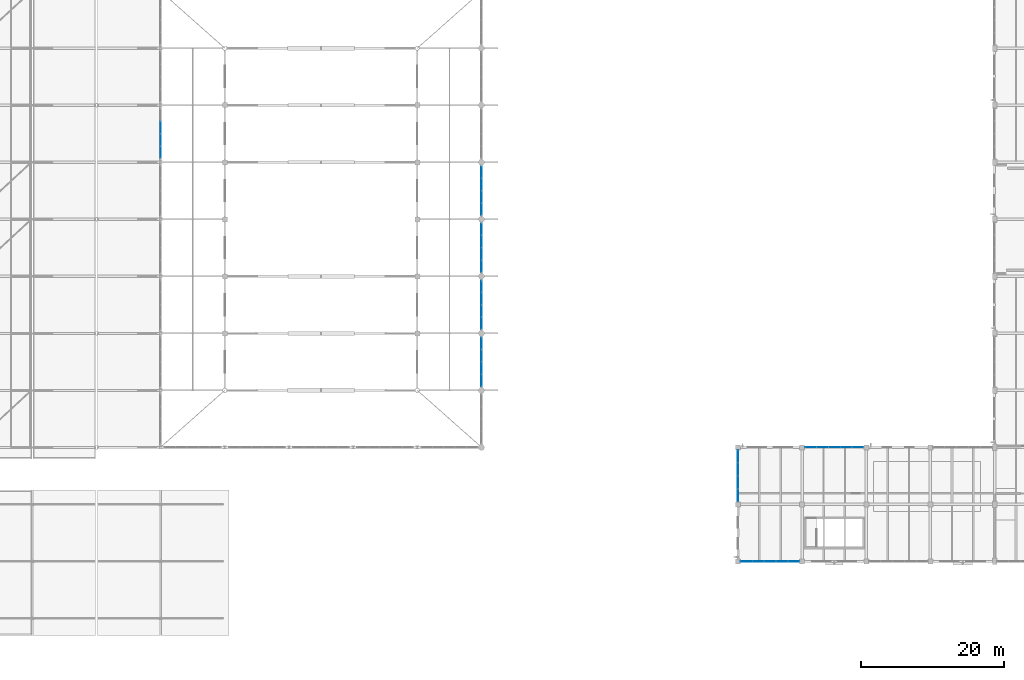
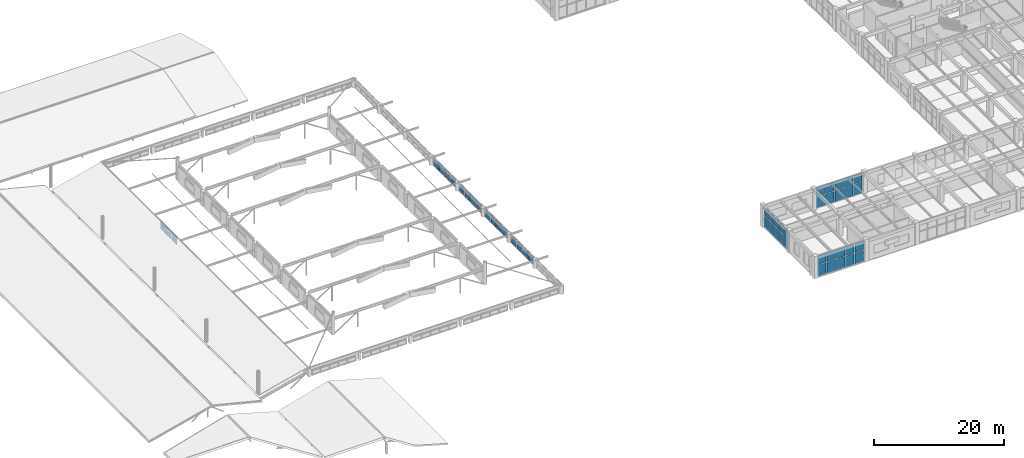
# One storey, part 102 of 128: 66 plates, 8 elements without a shape of their own.
"""IFC4 building model written with IfcOpenShell, lengths in metres."""

from ifc_helpers import new_model, si_unit, derived_unit, direction, frame, origin, origin_2d, place, context, subcontext, project, spatial, rectangle, extrude, material, layer, layer_set, type_object, element, aggregate, save


model = new_model("IFC4")

# Units and contexts
model_context = context("Model", 3, precision=1e-05, world=origin(), true_north=direction((0.0, 1.0)))
body_context = subcontext(model_context, "Body", "Model", "MODEL_VIEW")
ifc_project = project(units=[si_unit("LENGTHUNIT", "METRE"), si_unit("AREAUNIT", "SQUARE_METRE"), si_unit("VOLUMEUNIT", "CUBIC_METRE"), si_unit("PLANEANGLEUNIT", "RADIAN"), si_unit("MASSUNIT", "GRAM", prefix="KILO"), derived_unit("THERMALTRANSMITTANCEUNIT", [(si_unit("MASSUNIT", "GRAM", prefix="KILO"), 1), (si_unit("TIMEUNIT", "SECOND"), -3), (si_unit("THERMODYNAMICTEMPERATUREUNIT", "KELVIN"), -1)])], contexts=[model_context])

# Site, building, storey
site_placement = place(None, origin())
site = spatial("IfcSite", under=ifc_project, at=site_placement, CompositionType="ELEMENT")
building_placement = place(site_placement, origin())
building = spatial("IfcBuilding", under=site, at=building_placement, Name="Zhenchuan Archway Interchange", CompositionType="ELEMENT")
storey_placement = place(building_placement, frame((0.0, 0.0, 14.39990234375)))
storey = spatial("IfcBuildingStorey", under=building, at=storey_placement, Name="L03", CompositionType="ELEMENT", Elevation=14.39990234375)

# Curtain wall, plates
ifc_material_1 = material(Name="Anodised Aluminium", Category="aluminium")
curtain_wall_type_1 = type_object("IfcCurtainWallType", Name="CW_UNIT_3", PredefinedType="NOTDEFINED", material=ifc_material_1)
curtain_wall_1_placement = place(storey_placement, origin())
curtain_wall_1 = element("IfcCurtainWall", 1, at=curtain_wall_1_placement, inside=storey, type_object=curtain_wall_type_1, Name="Unitised curtain wall CW:L03:166", PredefinedType="NOTDEFINED")
ifc_material_2 = material(Name="Double Low-E Insulated Glazing", Category="glass")
ifc_layer_1 = layer(ifc_material_2, 0.028076171875)
ifc_layer_set_1 = layer_set([ifc_layer_1], Name="Double Low-E Insulated Glazing")
plate_type_1 = type_object("IfcPlateType", Name="CW_GLZ_1", PredefinedType="CURTAIN_PANEL", material=ifc_layer_set_1)
plate_1_placement = place(storey_placement, frame((118.164306640625, 24.0, 0.080078125), z_axis=(0.0, 0.0, 1.0), x_axis=(1.0, 0.0, 0.0)))
plate_1 = element("IfcPlate", 2, at=plate_1_placement, type_object=plate_type_1, Name="CW:L03:166 lower glazing panel 0", PredefinedType="CURTAIN_PANEL", context=body_context, shape_type="SweptSolid", body=[
    extrude(rectangle(XDim=1.5126953125, YDim=0.028076171875, at=origin_2d()), origin(), (0.0, 0.0, 1.0), 2.01611328125),
])
plate_2_placement = place(storey_placement, frame((119.8271484375, 24.0, 0.080078125), z_axis=(0.0, 0.0, 1.0), x_axis=(1.0, 0.0, 0.0)))
plate_2 = element("IfcPlate", 3, at=plate_2_placement, type_object=plate_type_1, Name="CW:L03:166 lower glazing panel 1", PredefinedType="CURTAIN_PANEL", context=body_context, shape_type="SweptSolid", body=[
    extrude(rectangle(XDim=1.53271484375, YDim=0.028076171875, at=origin_2d()), origin(), (0.0, 0.0, 1.0), 2.01611328125),
])
plate_3_placement = place(storey_placement, frame((121.5, 24.0, 0.080078125), z_axis=(0.0, 0.0, 1.0), x_axis=(1.0, 0.0, 0.0)))
plate_3 = element("IfcPlate", 4, at=plate_3_placement, type_object=plate_type_1, Name="CW:L03:166 lower glazing panel 2", PredefinedType="CURTAIN_PANEL", context=body_context, shape_type="SweptSolid", body=[
    extrude(rectangle(XDim=1.53271484375, YDim=0.028076171875, at=origin_2d()), origin(), (0.0, 0.0, 1.0), 2.01611328125),
])
plate_4_placement = place(storey_placement, frame((123.1728515625, 24.0, 0.080078125), z_axis=(0.0, 0.0, 1.0), x_axis=(1.0, 0.0, 0.0)))
plate_4 = element("IfcPlate", 5, at=plate_4_placement, type_object=plate_type_1, Name="CW:L03:166 lower glazing panel 3", PredefinedType="CURTAIN_PANEL", context=body_context, shape_type="SweptSolid", body=[
    extrude(rectangle(XDim=1.53271484375, YDim=0.028076171875, at=origin_2d()), origin(), (0.0, 0.0, 1.0), 2.01611328125),
])
plate_5_placement = place(storey_placement, frame((124.835693359375, 24.0, 0.080078125), z_axis=(0.0, 0.0, 1.0), x_axis=(1.0, 0.0, 0.0)))
plate_5 = element("IfcPlate", 6, at=plate_5_placement, type_object=plate_type_1, Name="CW:L03:166 lower glazing panel 4", PredefinedType="CURTAIN_PANEL", context=body_context, shape_type="SweptSolid", body=[
    extrude(rectangle(XDim=1.5126953125, YDim=0.028076171875, at=origin_2d()), origin(), (0.0, 0.0, 1.0), 2.01611328125),
])

curtain_wall_2_placement = place(storey_placement, origin())
curtain_wall_2 = element("IfcCurtainWall", 7, at=curtain_wall_2_placement, inside=storey, type_object=curtain_wall_type_1, Name="Unitised curtain wall CW:L03:186", PredefinedType="NOTDEFINED")
plate_6_placement = place(storey_placement, frame((115.835693359375, 8.0, 0.080078125), z_axis=(0.0, 0.0, 1.0), x_axis=(-1.0, 0.0, 0.0)))
plate_6 = element("IfcPlate", 8, at=plate_6_placement, type_object=plate_type_1, Name="CW:L03:186 lower glazing panel 0", PredefinedType="CURTAIN_PANEL", context=body_context, shape_type="SweptSolid", body=[
    extrude(rectangle(XDim=1.5126953125, YDim=0.028076171875, at=origin_2d()), origin(), (0.0, 0.0, 1.0), 2.01611328125),
])
plate_7_placement = place(storey_placement, frame((114.1728515625, 8.0, 0.080078125), z_axis=(0.0, 0.0, 1.0), x_axis=(-1.0, 0.0, 0.0)))
plate_7 = element("IfcPlate", 9, at=plate_7_placement, type_object=plate_type_1, Name="CW:L03:186 lower glazing panel 1", PredefinedType="CURTAIN_PANEL", context=body_context, shape_type="SweptSolid", body=[
    extrude(rectangle(XDim=1.53271484375, YDim=0.028076171875, at=origin_2d()), origin(), (0.0, 0.0, 1.0), 2.01611328125),
])
plate_8_placement = place(storey_placement, frame((112.5, 8.0, 0.080078125), z_axis=(0.0, 0.0, 1.0), x_axis=(-1.0, 0.0, 0.0)))
plate_8 = element("IfcPlate", 10, at=plate_8_placement, type_object=plate_type_1, Name="CW:L03:186 lower glazing panel 2", PredefinedType="CURTAIN_PANEL", context=body_context, shape_type="SweptSolid", body=[
    extrude(rectangle(XDim=1.53271484375, YDim=0.028076171875, at=origin_2d()), origin(), (0.0, 0.0, 1.0), 2.01611328125),
])
plate_9_placement = place(storey_placement, frame((110.8271484375, 8.0, 0.080078125), z_axis=(0.0, 0.0, 1.0), x_axis=(-1.0, 0.0, 0.0)))
plate_9 = element("IfcPlate", 11, at=plate_9_placement, type_object=plate_type_1, Name="CW:L03:186 lower glazing panel 3", PredefinedType="CURTAIN_PANEL", context=body_context, shape_type="SweptSolid", body=[
    extrude(rectangle(XDim=1.53271484375, YDim=0.028076171875, at=origin_2d()), origin(), (0.0, 0.0, 1.0), 2.01611328125),
])
plate_10_placement = place(storey_placement, frame((109.164306640625, 8.0, 0.080078125), z_axis=(0.0, 0.0, 1.0), x_axis=(-1.0, 0.0, 0.0)))
plate_10 = element("IfcPlate", 12, at=plate_10_placement, type_object=plate_type_1, Name="CW:L03:186 lower glazing panel 4", PredefinedType="CURTAIN_PANEL", context=body_context, shape_type="SweptSolid", body=[
    extrude(rectangle(XDim=1.5126953125, YDim=0.028076171875, at=origin_2d()), origin(), (0.0, 0.0, 1.0), 2.01611328125),
])

# Curtain wall, plate
curtain_wall_3_placement = place(storey_placement, origin())
curtain_wall_3 = element("IfcCurtainWall", 13, at=curtain_wall_3_placement, inside=storey, type_object=curtain_wall_type_1, Name="Unitised curtain wall CW:L03:RING-W6", PredefinedType="NOTDEFINED")
plate_11_placement = place(storey_placement, frame((27.0, 65.39990234375, 0.10009765625), z_axis=(0.0, 0.0, 1.0), x_axis=(0.0, 1.0, 0.0)))
plate_11 = element("IfcPlate", 14, at=plate_11_placement, type_object=plate_type_1, Name="CW:L03:RING-W6 lower glazing panel 0", PredefinedType="CURTAIN_PANEL", context=body_context, shape_type="SweptSolid", body=[
    extrude(rectangle(XDim=1.580078125, YDim=0.028076171875, at=origin_2d()), origin(), (0.0, 0.0, 1.0), 0.77294921875),
])

# Curtain wall, plates
curtain_wall_4_placement = place(storey_placement, origin())
curtain_wall_4 = element("IfcCurtainWall", 15, at=curtain_wall_4_placement, inside=storey, type_object=curtain_wall_type_1, Name="Unitised curtain wall CW:L03:RING-E2", PredefinedType="NOTDEFINED")
plate_12_placement = place(storey_placement, frame((72.0, 33.39990234375, 0.10009765625), z_axis=(0.0, 0.0, 1.0), x_axis=(0.0, 1.0, 0.0)))
plate_12 = element("IfcPlate", 16, at=plate_12_placement, type_object=plate_type_1, Name="CW:L03:RING-E2 lower glazing panel 0", PredefinedType="CURTAIN_PANEL", context=body_context, shape_type="SweptSolid", body=[
    extrude(rectangle(XDim=1.580078125, YDim=0.028076171875, at=origin_2d()), origin(), (0.0, 0.0, 1.0), 0.77294921875),
])
plate_13_placement = place(storey_placement, frame((72.0, 38.60009765625, 0.10009765625), z_axis=(0.0, 0.0, 1.0), x_axis=(0.0, 1.0, 0.0)))
plate_13 = element("IfcPlate", 17, at=plate_13_placement, type_object=plate_type_1, Name="CW:L03:RING-E2 lower glazing panel 3", PredefinedType="CURTAIN_PANEL", context=body_context, shape_type="SweptSolid", body=[
    extrude(rectangle(XDim=1.580078125, YDim=0.028076171875, at=origin_2d()), origin(), (0.0, 0.0, 1.0), 0.77294921875),
])

curtain_wall_5_placement = place(storey_placement, origin())
curtain_wall_5 = element("IfcCurtainWall", 18, at=curtain_wall_5_placement, inside=storey, type_object=curtain_wall_type_1, Name="Unitised curtain wall CW:L03:RING-E3", PredefinedType="NOTDEFINED")
plate_14_placement = place(storey_placement, frame((72.0, 41.39990234375, 0.10009765625), z_axis=(0.0, 0.0, 1.0), x_axis=(0.0, 1.0, 0.0)))
plate_14 = element("IfcPlate", 19, at=plate_14_placement, type_object=plate_type_1, Name="CW:L03:RING-E3 lower glazing panel 0", PredefinedType="CURTAIN_PANEL", context=body_context, shape_type="SweptSolid", body=[
    extrude(rectangle(XDim=1.580078125, YDim=0.028076171875, at=origin_2d()), origin(), (0.0, 0.0, 1.0), 0.77294921875),
])
plate_15_placement = place(storey_placement, frame((72.0, 46.60009765625, 0.10009765625), z_axis=(0.0, 0.0, 1.0), x_axis=(0.0, 1.0, 0.0)))
plate_15 = element("IfcPlate", 20, at=plate_15_placement, type_object=plate_type_1, Name="CW:L03:RING-E3 lower glazing panel 3", PredefinedType="CURTAIN_PANEL", context=body_context, shape_type="SweptSolid", body=[
    extrude(rectangle(XDim=1.580078125, YDim=0.028076171875, at=origin_2d()), origin(), (0.0, 0.0, 1.0), 0.77294921875),
])

curtain_wall_6_placement = place(storey_placement, origin())
curtain_wall_6 = element("IfcCurtainWall", 21, at=curtain_wall_6_placement, inside=storey, type_object=curtain_wall_type_1, Name="Unitised curtain wall CW:L03:RING-E4", PredefinedType="NOTDEFINED")
plate_16_placement = place(storey_placement, frame((72.0, 49.39990234375, 0.10009765625), z_axis=(0.0, 0.0, 1.0), x_axis=(0.0, 1.0, 0.0)))
plate_16 = element("IfcPlate", 22, at=plate_16_placement, type_object=plate_type_1, Name="CW:L03:RING-E4 lower glazing panel 0", PredefinedType="CURTAIN_PANEL", context=body_context, shape_type="SweptSolid", body=[
    extrude(rectangle(XDim=1.580078125, YDim=0.028076171875, at=origin_2d()), origin(), (0.0, 0.0, 1.0), 0.77294921875),
])
plate_17_placement = place(storey_placement, frame((72.0, 54.60009765625, 0.10009765625), z_axis=(0.0, 0.0, 1.0), x_axis=(0.0, 1.0, 0.0)))
plate_17 = element("IfcPlate", 23, at=plate_17_placement, type_object=plate_type_1, Name="CW:L03:RING-E4 lower glazing panel 3", PredefinedType="CURTAIN_PANEL", context=body_context, shape_type="SweptSolid", body=[
    extrude(rectangle(XDim=1.580078125, YDim=0.028076171875, at=origin_2d()), origin(), (0.0, 0.0, 1.0), 0.77294921875),
])

curtain_wall_7_placement = place(storey_placement, origin())
curtain_wall_7 = element("IfcCurtainWall", 24, at=curtain_wall_7_placement, inside=storey, type_object=curtain_wall_type_1, Name="Unitised curtain wall CW:L03:RING-E5", PredefinedType="NOTDEFINED")
plate_18_placement = place(storey_placement, frame((72.0, 57.39990234375, 0.10009765625), z_axis=(0.0, 0.0, 1.0), x_axis=(0.0, 1.0, 0.0)))
plate_18 = element("IfcPlate", 25, at=plate_18_placement, type_object=plate_type_1, Name="CW:L03:RING-E5 lower glazing panel 0", PredefinedType="CURTAIN_PANEL", context=body_context, shape_type="SweptSolid", body=[
    extrude(rectangle(XDim=1.580078125, YDim=0.028076171875, at=origin_2d()), origin(), (0.0, 0.0, 1.0), 0.77294921875),
])
plate_19_placement = place(storey_placement, frame((72.0, 62.60009765625, 0.10009765625), z_axis=(0.0, 0.0, 1.0), x_axis=(0.0, 1.0, 0.0)))
plate_19 = element("IfcPlate", 26, at=plate_19_placement, type_object=plate_type_1, Name="CW:L03:RING-E5 lower glazing panel 3", PredefinedType="CURTAIN_PANEL", context=body_context, shape_type="SweptSolid", body=[
    extrude(rectangle(XDim=1.580078125, YDim=0.028076171875, at=origin_2d()), origin(), (0.0, 0.0, 1.0), 0.77294921875),
])

# Plate
ifc_layer_2 = layer(ifc_material_2, 0.02587890625)
ifc_layer_set_2 = layer_set([ifc_layer_2], Name="Double Low-E Insulated Glazing")
plate_type_2 = type_object("IfcPlateType", Name="CW_GLZ_2", PredefinedType="CURTAIN_PANEL", material=ifc_layer_set_2)
plate_20_placement = place(storey_placement, frame((118.164306640625, 24.0, 2.216064453125), z_axis=(0.0, 0.0, 1.0), x_axis=(1.0, 0.0, 0.0)))
plate_20 = element("IfcPlate", 27, at=plate_20_placement, type_object=plate_type_2, Name="CW:L03:166 upper glazing panel 0", PredefinedType="CURTAIN_PANEL", context=body_context, shape_type="SweptSolid", body=[
    extrude(rectangle(XDim=1.5126953125, YDim=0.02587890625, at=origin_2d()), origin(), (0.0, 0.0, 1.0), 1.6240234375),
])

plate_21_placement = place(storey_placement, frame((119.8271484375, 24.0, 2.216064453125), z_axis=(0.0, 0.0, 1.0), x_axis=(1.0, 0.0, 0.0)))
plate_21 = element("IfcPlate", 28, at=plate_21_placement, type_object=plate_type_2, Name="CW:L03:166 upper glazing panel 1", PredefinedType="CURTAIN_PANEL", context=body_context, shape_type="SweptSolid", body=[
    extrude(rectangle(XDim=1.53271484375, YDim=0.02587890625, at=origin_2d()), origin(), (0.0, 0.0, 1.0), 1.6240234375),
])

plate_22_placement = place(storey_placement, frame((121.5, 24.0, 2.216064453125), z_axis=(0.0, 0.0, 1.0), x_axis=(1.0, 0.0, 0.0)))
plate_22 = element("IfcPlate", 29, at=plate_22_placement, type_object=plate_type_2, Name="CW:L03:166 upper glazing panel 2", PredefinedType="CURTAIN_PANEL", context=body_context, shape_type="SweptSolid", body=[
    extrude(rectangle(XDim=1.53271484375, YDim=0.02587890625, at=origin_2d()), origin(), (0.0, 0.0, 1.0), 1.6240234375),
])

plate_23_placement = place(storey_placement, frame((123.1728515625, 24.0, 2.216064453125), z_axis=(0.0, 0.0, 1.0), x_axis=(1.0, 0.0, 0.0)))
plate_23 = element("IfcPlate", 30, at=plate_23_placement, type_object=plate_type_2, Name="CW:L03:166 upper glazing panel 3", PredefinedType="CURTAIN_PANEL", context=body_context, shape_type="SweptSolid", body=[
    extrude(rectangle(XDim=1.53271484375, YDim=0.02587890625, at=origin_2d()), origin(), (0.0, 0.0, 1.0), 1.6240234375),
])

plate_24_placement = place(storey_placement, frame((124.835693359375, 24.0, 2.216064453125), z_axis=(0.0, 0.0, 1.0), x_axis=(1.0, 0.0, 0.0)))
plate_24 = element("IfcPlate", 31, at=plate_24_placement, type_object=plate_type_2, Name="CW:L03:166 upper glazing panel 4", PredefinedType="CURTAIN_PANEL", context=body_context, shape_type="SweptSolid", body=[
    extrude(rectangle(XDim=1.5126953125, YDim=0.02587890625, at=origin_2d()), origin(), (0.0, 0.0, 1.0), 1.6240234375),
])

aggregate(curtain_wall_1, [plate_1, plate_20, plate_2, plate_21, plate_3, plate_22, plate_4, plate_23, plate_5, plate_24])

plate_25_placement = place(storey_placement, frame((115.835693359375, 8.0, 2.216064453125), z_axis=(0.0, 0.0, 1.0), x_axis=(-1.0, 0.0, 0.0)))
plate_25 = element("IfcPlate", 32, at=plate_25_placement, type_object=plate_type_2, Name="CW:L03:186 upper glazing panel 0", PredefinedType="CURTAIN_PANEL", context=body_context, shape_type="SweptSolid", body=[
    extrude(rectangle(XDim=1.5126953125, YDim=0.02587890625, at=origin_2d()), origin(), (0.0, 0.0, 1.0), 1.6240234375),
])

plate_26_placement = place(storey_placement, frame((114.1728515625, 8.0, 2.216064453125), z_axis=(0.0, 0.0, 1.0), x_axis=(-1.0, 0.0, 0.0)))
plate_26 = element("IfcPlate", 33, at=plate_26_placement, type_object=plate_type_2, Name="CW:L03:186 upper glazing panel 1", PredefinedType="CURTAIN_PANEL", context=body_context, shape_type="SweptSolid", body=[
    extrude(rectangle(XDim=1.53271484375, YDim=0.02587890625, at=origin_2d()), origin(), (0.0, 0.0, 1.0), 1.6240234375),
])

plate_27_placement = place(storey_placement, frame((112.5, 8.0, 2.216064453125), z_axis=(0.0, 0.0, 1.0), x_axis=(-1.0, 0.0, 0.0)))
plate_27 = element("IfcPlate", 34, at=plate_27_placement, type_object=plate_type_2, Name="CW:L03:186 upper glazing panel 2", PredefinedType="CURTAIN_PANEL", context=body_context, shape_type="SweptSolid", body=[
    extrude(rectangle(XDim=1.53271484375, YDim=0.02587890625, at=origin_2d()), origin(), (0.0, 0.0, 1.0), 1.6240234375),
])

plate_28_placement = place(storey_placement, frame((110.8271484375, 8.0, 2.216064453125), z_axis=(0.0, 0.0, 1.0), x_axis=(-1.0, 0.0, 0.0)))
plate_28 = element("IfcPlate", 35, at=plate_28_placement, type_object=plate_type_2, Name="CW:L03:186 upper glazing panel 3", PredefinedType="CURTAIN_PANEL", context=body_context, shape_type="SweptSolid", body=[
    extrude(rectangle(XDim=1.53271484375, YDim=0.02587890625, at=origin_2d()), origin(), (0.0, 0.0, 1.0), 1.6240234375),
])

plate_29_placement = place(storey_placement, frame((109.164306640625, 8.0, 2.216064453125), z_axis=(0.0, 0.0, 1.0), x_axis=(-1.0, 0.0, 0.0)))
plate_29 = element("IfcPlate", 36, at=plate_29_placement, type_object=plate_type_2, Name="CW:L03:186 upper glazing panel 4", PredefinedType="CURTAIN_PANEL", context=body_context, shape_type="SweptSolid", body=[
    extrude(rectangle(XDim=1.5126953125, YDim=0.02587890625, at=origin_2d()), origin(), (0.0, 0.0, 1.0), 1.6240234375),
])

aggregate(curtain_wall_2, [plate_6, plate_25, plate_7, plate_26, plate_8, plate_27, plate_9, plate_28, plate_10, plate_29])

plate_30_placement = place(storey_placement, frame((27.0, 65.39990234375, 0.9931640625), z_axis=(0.0, 0.0, 1.0), x_axis=(0.0, 1.0, 0.0)))
plate_30 = element("IfcPlate", 37, at=plate_30_placement, type_object=plate_type_2, Name="CW:L03:RING-W6 upper glazing panel 0", PredefinedType="CURTAIN_PANEL", context=body_context, shape_type="SweptSolid", body=[
    extrude(rectangle(XDim=1.580078125, YDim=0.02587890625, at=origin_2d()), origin(), (0.0, 0.0, 1.0), 0.60693359375),
])

plate_31_placement = place(storey_placement, frame((72.0, 33.39990234375, 0.9931640625), z_axis=(0.0, 0.0, 1.0), x_axis=(0.0, 1.0, 0.0)))
plate_31 = element("IfcPlate", 38, at=plate_31_placement, type_object=plate_type_2, Name="CW:L03:RING-E2 upper glazing panel 0", PredefinedType="CURTAIN_PANEL", context=body_context, shape_type="SweptSolid", body=[
    extrude(rectangle(XDim=1.580078125, YDim=0.02587890625, at=origin_2d()), origin(), (0.0, 0.0, 1.0), 0.60693359375),
])

plate_32_placement = place(storey_placement, frame((72.0, 38.60009765625, 0.9931640625), z_axis=(0.0, 0.0, 1.0), x_axis=(0.0, 1.0, 0.0)))
plate_32 = element("IfcPlate", 39, at=plate_32_placement, type_object=plate_type_2, Name="CW:L03:RING-E2 upper glazing panel 3", PredefinedType="CURTAIN_PANEL", context=body_context, shape_type="SweptSolid", body=[
    extrude(rectangle(XDim=1.580078125, YDim=0.02587890625, at=origin_2d()), origin(), (0.0, 0.0, 1.0), 0.60693359375),
])

plate_33_placement = place(storey_placement, frame((72.0, 41.39990234375, 0.9931640625), z_axis=(0.0, 0.0, 1.0), x_axis=(0.0, 1.0, 0.0)))
plate_33 = element("IfcPlate", 40, at=plate_33_placement, type_object=plate_type_2, Name="CW:L03:RING-E3 upper glazing panel 0", PredefinedType="CURTAIN_PANEL", context=body_context, shape_type="SweptSolid", body=[
    extrude(rectangle(XDim=1.580078125, YDim=0.02587890625, at=origin_2d()), origin(), (0.0, 0.0, 1.0), 0.60693359375),
])

plate_34_placement = place(storey_placement, frame((72.0, 46.60009765625, 0.9931640625), z_axis=(0.0, 0.0, 1.0), x_axis=(0.0, 1.0, 0.0)))
plate_34 = element("IfcPlate", 41, at=plate_34_placement, type_object=plate_type_2, Name="CW:L03:RING-E3 upper glazing panel 3", PredefinedType="CURTAIN_PANEL", context=body_context, shape_type="SweptSolid", body=[
    extrude(rectangle(XDim=1.580078125, YDim=0.02587890625, at=origin_2d()), origin(), (0.0, 0.0, 1.0), 0.60693359375),
])

plate_35_placement = place(storey_placement, frame((72.0, 49.39990234375, 0.9931640625), z_axis=(0.0, 0.0, 1.0), x_axis=(0.0, 1.0, 0.0)))
plate_35 = element("IfcPlate", 42, at=plate_35_placement, type_object=plate_type_2, Name="CW:L03:RING-E4 upper glazing panel 0", PredefinedType="CURTAIN_PANEL", context=body_context, shape_type="SweptSolid", body=[
    extrude(rectangle(XDim=1.580078125, YDim=0.02587890625, at=origin_2d()), origin(), (0.0, 0.0, 1.0), 0.60693359375),
])

plate_36_placement = place(storey_placement, frame((72.0, 54.60009765625, 0.9931640625), z_axis=(0.0, 0.0, 1.0), x_axis=(0.0, 1.0, 0.0)))
plate_36 = element("IfcPlate", 43, at=plate_36_placement, type_object=plate_type_2, Name="CW:L03:RING-E4 upper glazing panel 3", PredefinedType="CURTAIN_PANEL", context=body_context, shape_type="SweptSolid", body=[
    extrude(rectangle(XDim=1.580078125, YDim=0.02587890625, at=origin_2d()), origin(), (0.0, 0.0, 1.0), 0.60693359375),
])

plate_37_placement = place(storey_placement, frame((72.0, 57.39990234375, 0.9931640625), z_axis=(0.0, 0.0, 1.0), x_axis=(0.0, 1.0, 0.0)))
plate_37 = element("IfcPlate", 44, at=plate_37_placement, type_object=plate_type_2, Name="CW:L03:RING-E5 upper glazing panel 0", PredefinedType="CURTAIN_PANEL", context=body_context, shape_type="SweptSolid", body=[
    extrude(rectangle(XDim=1.580078125, YDim=0.02587890625, at=origin_2d()), origin(), (0.0, 0.0, 1.0), 0.60693359375),
])

plate_38_placement = place(storey_placement, frame((72.0, 62.60009765625, 0.9931640625), z_axis=(0.0, 0.0, 1.0), x_axis=(0.0, 1.0, 0.0)))
plate_38 = element("IfcPlate", 45, at=plate_38_placement, type_object=plate_type_2, Name="CW:L03:RING-E5 upper glazing panel 3", PredefinedType="CURTAIN_PANEL", context=body_context, shape_type="SweptSolid", body=[
    extrude(rectangle(XDim=1.580078125, YDim=0.02587890625, at=origin_2d()), origin(), (0.0, 0.0, 1.0), 0.60693359375),
])

# Curtain wall, plates
curtain_wall_type_2 = type_object("IfcCurtainWallType", Name="CW_UNIT_4", PredefinedType="NOTDEFINED", material=ifc_material_1)
curtain_wall_8_placement = place(storey_placement, origin())
curtain_wall_8 = element("IfcCurtainWall", 46, at=curtain_wall_8_placement, inside=storey, type_object=curtain_wall_type_2, Name="Unitised curtain wall CW:L03:187", PredefinedType="NOTDEFINED")
ifc_layer_3 = layer(ifc_material_2, 0.030029296875)
ifc_layer_set_3 = layer_set([ifc_layer_3], Name="Double Low-E Insulated Glazing")
plate_type_3 = type_object("IfcPlateType", Name="CW_GLZ_3", PredefinedType="CURTAIN_PANEL", material=ifc_layer_set_3)
plate_39_placement = place(storey_placement, frame((108.0, 17.24853515625, 0.080078125), z_axis=(0.0, 0.0, 1.0), x_axis=(0.0, 1.0, 0.0)))
plate_39 = element("IfcPlate", 47, at=plate_39_placement, type_object=plate_type_3, Name="CW:L03:187 lower glazing panel 0", PredefinedType="CURTAIN_PANEL", context=body_context, shape_type="SweptSolid", body=[
    extrude(rectangle(XDim=1.680908203125, YDim=0.028076171875, at=origin_2d()), origin(), (0.0, 0.0, 1.0), 2.01611328125),
])
plate_40_placement = place(storey_placement, frame((108.0, 19.07958984375, 0.080078125), z_axis=(0.0, 0.0, 1.0), x_axis=(0.0, 1.0, 0.0)))
plate_40 = element("IfcPlate", 48, at=plate_40_placement, type_object=plate_type_3, Name="CW:L03:187 lower glazing panel 1", PredefinedType="CURTAIN_PANEL", context=body_context, shape_type="SweptSolid", body=[
    extrude(rectangle(XDim=1.700927734375, YDim=0.028076171875, at=origin_2d()), origin(), (0.0, 0.0, 1.0), 2.01611328125),
])
plate_41_placement = place(storey_placement, frame((108.0, 20.92041015625, 0.080078125), z_axis=(0.0, 0.0, 1.0), x_axis=(0.0, 1.0, 0.0)))
plate_41 = element("IfcPlate", 49, at=plate_41_placement, type_object=plate_type_3, Name="CW:L03:187 lower glazing panel 2", PredefinedType="CURTAIN_PANEL", context=body_context, shape_type="SweptSolid", body=[
    extrude(rectangle(XDim=1.700927734375, YDim=0.028076171875, at=origin_2d()), origin(), (0.0, 0.0, 1.0), 2.01611328125),
])
plate_42_placement = place(storey_placement, frame((108.0, 22.75146484375, 0.080078125), z_axis=(0.0, 0.0, 1.0), x_axis=(0.0, 1.0, 0.0)))
plate_42 = element("IfcPlate", 50, at=plate_42_placement, type_object=plate_type_3, Name="CW:L03:187 lower glazing panel 3", PredefinedType="CURTAIN_PANEL", context=body_context, shape_type="SweptSolid", body=[
    extrude(rectangle(XDim=1.680908203125, YDim=0.028076171875, at=origin_2d()), origin(), (0.0, 0.0, 1.0), 2.01611328125),
])

# Plate
plate_43_placement = place(storey_placement, frame((27.0, 67.1298828125, 0.10009765625), z_axis=(0.0, 0.0, 1.0), x_axis=(0.0, 1.0, 0.0)))
plate_43 = element("IfcPlate", 51, at=plate_43_placement, type_object=plate_type_3, Name="CW:L03:RING-W6 lower glazing panel 1", PredefinedType="CURTAIN_PANEL", context=body_context, shape_type="SweptSolid", body=[
    extrude(rectangle(XDim=1.60009765625, YDim=0.028076171875, at=origin_2d()), origin(), (0.0, 0.0, 1.0), 0.77294921875),
])

plate_44_placement = place(storey_placement, frame((27.0, 68.8701171875, 0.10009765625), z_axis=(0.0, 0.0, 1.0), x_axis=(0.0, 1.0, 0.0)))
plate_44 = element("IfcPlate", 52, at=plate_44_placement, type_object=plate_type_3, Name="CW:L03:RING-W6 lower glazing panel 2", PredefinedType="CURTAIN_PANEL", context=body_context, shape_type="SweptSolid", body=[
    extrude(rectangle(XDim=1.60009765625, YDim=0.028076171875, at=origin_2d()), origin(), (0.0, 0.0, 1.0), 0.77294921875),
])

plate_45_placement = place(storey_placement, frame((72.0, 35.1298828125, 0.10009765625), z_axis=(0.0, 0.0, 1.0), x_axis=(0.0, 1.0, 0.0)))
plate_45 = element("IfcPlate", 53, at=plate_45_placement, type_object=plate_type_3, Name="CW:L03:RING-E2 lower glazing panel 1", PredefinedType="CURTAIN_PANEL", context=body_context, shape_type="SweptSolid", body=[
    extrude(rectangle(XDim=1.60009765625, YDim=0.028076171875, at=origin_2d()), origin(), (0.0, 0.0, 1.0), 0.77294921875),
])

plate_46_placement = place(storey_placement, frame((72.0, 36.8701171875, 0.10009765625), z_axis=(0.0, 0.0, 1.0), x_axis=(0.0, 1.0, 0.0)))
plate_46 = element("IfcPlate", 54, at=plate_46_placement, type_object=plate_type_3, Name="CW:L03:RING-E2 lower glazing panel 2", PredefinedType="CURTAIN_PANEL", context=body_context, shape_type="SweptSolid", body=[
    extrude(rectangle(XDim=1.60009765625, YDim=0.028076171875, at=origin_2d()), origin(), (0.0, 0.0, 1.0), 0.77294921875),
])

plate_47_placement = place(storey_placement, frame((72.0, 43.1298828125, 0.10009765625), z_axis=(0.0, 0.0, 1.0), x_axis=(0.0, 1.0, 0.0)))
plate_47 = element("IfcPlate", 55, at=plate_47_placement, type_object=plate_type_3, Name="CW:L03:RING-E3 lower glazing panel 1", PredefinedType="CURTAIN_PANEL", context=body_context, shape_type="SweptSolid", body=[
    extrude(rectangle(XDim=1.60009765625, YDim=0.028076171875, at=origin_2d()), origin(), (0.0, 0.0, 1.0), 0.77294921875),
])

plate_48_placement = place(storey_placement, frame((72.0, 44.8701171875, 0.10009765625), z_axis=(0.0, 0.0, 1.0), x_axis=(0.0, 1.0, 0.0)))
plate_48 = element("IfcPlate", 56, at=plate_48_placement, type_object=plate_type_3, Name="CW:L03:RING-E3 lower glazing panel 2", PredefinedType="CURTAIN_PANEL", context=body_context, shape_type="SweptSolid", body=[
    extrude(rectangle(XDim=1.60009765625, YDim=0.028076171875, at=origin_2d()), origin(), (0.0, 0.0, 1.0), 0.77294921875),
])

plate_49_placement = place(storey_placement, frame((72.0, 51.1298828125, 0.10009765625), z_axis=(0.0, 0.0, 1.0), x_axis=(0.0, 1.0, 0.0)))
plate_49 = element("IfcPlate", 57, at=plate_49_placement, type_object=plate_type_3, Name="CW:L03:RING-E4 lower glazing panel 1", PredefinedType="CURTAIN_PANEL", context=body_context, shape_type="SweptSolid", body=[
    extrude(rectangle(XDim=1.60009765625, YDim=0.028076171875, at=origin_2d()), origin(), (0.0, 0.0, 1.0), 0.77294921875),
])

plate_50_placement = place(storey_placement, frame((72.0, 52.8701171875, 0.10009765625), z_axis=(0.0, 0.0, 1.0), x_axis=(0.0, 1.0, 0.0)))
plate_50 = element("IfcPlate", 58, at=plate_50_placement, type_object=plate_type_3, Name="CW:L03:RING-E4 lower glazing panel 2", PredefinedType="CURTAIN_PANEL", context=body_context, shape_type="SweptSolid", body=[
    extrude(rectangle(XDim=1.60009765625, YDim=0.028076171875, at=origin_2d()), origin(), (0.0, 0.0, 1.0), 0.77294921875),
])

plate_51_placement = place(storey_placement, frame((72.0, 59.1298828125, 0.10009765625), z_axis=(0.0, 0.0, 1.0), x_axis=(0.0, 1.0, 0.0)))
plate_51 = element("IfcPlate", 59, at=plate_51_placement, type_object=plate_type_3, Name="CW:L03:RING-E5 lower glazing panel 1", PredefinedType="CURTAIN_PANEL", context=body_context, shape_type="SweptSolid", body=[
    extrude(rectangle(XDim=1.60009765625, YDim=0.028076171875, at=origin_2d()), origin(), (0.0, 0.0, 1.0), 0.77294921875),
])

plate_52_placement = place(storey_placement, frame((72.0, 60.8701171875, 0.10009765625), z_axis=(0.0, 0.0, 1.0), x_axis=(0.0, 1.0, 0.0)))
plate_52 = element("IfcPlate", 60, at=plate_52_placement, type_object=plate_type_3, Name="CW:L03:RING-E5 lower glazing panel 2", PredefinedType="CURTAIN_PANEL", context=body_context, shape_type="SweptSolid", body=[
    extrude(rectangle(XDim=1.60009765625, YDim=0.028076171875, at=origin_2d()), origin(), (0.0, 0.0, 1.0), 0.77294921875),
])

ifc_layer_4 = layer(ifc_material_2, 0.02392578125)
ifc_layer_set_4 = layer_set([ifc_layer_4], Name="Double Low-E Insulated Glazing")
plate_type_4 = type_object("IfcPlateType", Name="CW_GLZ_4", PredefinedType="CURTAIN_PANEL", material=ifc_layer_set_4)
plate_53_placement = place(storey_placement, frame((108.0, 17.24853515625, 2.216064453125), z_axis=(0.0, 0.0, 1.0), x_axis=(0.0, 1.0, 0.0)))
plate_53 = element("IfcPlate", 61, at=plate_53_placement, type_object=plate_type_4, Name="CW:L03:187 upper glazing panel 0", PredefinedType="CURTAIN_PANEL", context=body_context, shape_type="SweptSolid", body=[
    extrude(rectangle(XDim=1.680908203125, YDim=0.02587890625, at=origin_2d()), origin(), (0.0, 0.0, 1.0), 1.6240234375),
])

plate_54_placement = place(storey_placement, frame((108.0, 19.07958984375, 2.216064453125), z_axis=(0.0, 0.0, 1.0), x_axis=(0.0, 1.0, 0.0)))
plate_54 = element("IfcPlate", 62, at=plate_54_placement, type_object=plate_type_4, Name="CW:L03:187 upper glazing panel 1", PredefinedType="CURTAIN_PANEL", context=body_context, shape_type="SweptSolid", body=[
    extrude(rectangle(XDim=1.700927734375, YDim=0.02587890625, at=origin_2d()), origin(), (0.0, 0.0, 1.0), 1.6240234375),
])

plate_55_placement = place(storey_placement, frame((108.0, 20.92041015625, 2.216064453125), z_axis=(0.0, 0.0, 1.0), x_axis=(0.0, 1.0, 0.0)))
plate_55 = element("IfcPlate", 63, at=plate_55_placement, type_object=plate_type_4, Name="CW:L03:187 upper glazing panel 2", PredefinedType="CURTAIN_PANEL", context=body_context, shape_type="SweptSolid", body=[
    extrude(rectangle(XDim=1.700927734375, YDim=0.02587890625, at=origin_2d()), origin(), (0.0, 0.0, 1.0), 1.6240234375),
])

plate_56_placement = place(storey_placement, frame((108.0, 22.75146484375, 2.216064453125), z_axis=(0.0, 0.0, 1.0), x_axis=(0.0, 1.0, 0.0)))
plate_56 = element("IfcPlate", 64, at=plate_56_placement, type_object=plate_type_4, Name="CW:L03:187 upper glazing panel 3", PredefinedType="CURTAIN_PANEL", context=body_context, shape_type="SweptSolid", body=[
    extrude(rectangle(XDim=1.680908203125, YDim=0.02587890625, at=origin_2d()), origin(), (0.0, 0.0, 1.0), 1.6240234375),
])

aggregate(curtain_wall_8, [plate_39, plate_53, plate_40, plate_54, plate_41, plate_55, plate_42, plate_56])

plate_57_placement = place(storey_placement, frame((27.0, 67.1298828125, 0.9931640625), z_axis=(0.0, 0.0, 1.0), x_axis=(0.0, 1.0, 0.0)))
plate_57 = element("IfcPlate", 65, at=plate_57_placement, type_object=plate_type_4, Name="CW:L03:RING-W6 upper glazing panel 1", PredefinedType="CURTAIN_PANEL", context=body_context, shape_type="SweptSolid", body=[
    extrude(rectangle(XDim=1.60009765625, YDim=0.02587890625, at=origin_2d()), origin(), (0.0, 0.0, 1.0), 0.60693359375),
])

plate_58_placement = place(storey_placement, frame((27.0, 68.8701171875, 0.9931640625), z_axis=(0.0, 0.0, 1.0), x_axis=(0.0, 1.0, 0.0)))
plate_58 = element("IfcPlate", 66, at=plate_58_placement, type_object=plate_type_4, Name="CW:L03:RING-W6 upper glazing panel 2", PredefinedType="CURTAIN_PANEL", context=body_context, shape_type="SweptSolid", body=[
    extrude(rectangle(XDim=1.60009765625, YDim=0.02587890625, at=origin_2d()), origin(), (0.0, 0.0, 1.0), 0.60693359375),
])

aggregate(curtain_wall_3, [plate_11, plate_30, plate_43, plate_57, plate_44, plate_58])

plate_59_placement = place(storey_placement, frame((72.0, 35.1298828125, 0.9931640625), z_axis=(0.0, 0.0, 1.0), x_axis=(0.0, 1.0, 0.0)))
plate_59 = element("IfcPlate", 67, at=plate_59_placement, type_object=plate_type_4, Name="CW:L03:RING-E2 upper glazing panel 1", PredefinedType="CURTAIN_PANEL", context=body_context, shape_type="SweptSolid", body=[
    extrude(rectangle(XDim=1.60009765625, YDim=0.02587890625, at=origin_2d()), origin(), (0.0, 0.0, 1.0), 0.60693359375),
])

plate_60_placement = place(storey_placement, frame((72.0, 36.8701171875, 0.9931640625), z_axis=(0.0, 0.0, 1.0), x_axis=(0.0, 1.0, 0.0)))
plate_60 = element("IfcPlate", 68, at=plate_60_placement, type_object=plate_type_4, Name="CW:L03:RING-E2 upper glazing panel 2", PredefinedType="CURTAIN_PANEL", context=body_context, shape_type="SweptSolid", body=[
    extrude(rectangle(XDim=1.60009765625, YDim=0.02587890625, at=origin_2d()), origin(), (0.0, 0.0, 1.0), 0.60693359375),
])

aggregate(curtain_wall_4, [plate_12, plate_31, plate_45, plate_59, plate_46, plate_60, plate_13, plate_32])

plate_61_placement = place(storey_placement, frame((72.0, 43.1298828125, 0.9931640625), z_axis=(0.0, 0.0, 1.0), x_axis=(0.0, 1.0, 0.0)))
plate_61 = element("IfcPlate", 69, at=plate_61_placement, type_object=plate_type_4, Name="CW:L03:RING-E3 upper glazing panel 1", PredefinedType="CURTAIN_PANEL", context=body_context, shape_type="SweptSolid", body=[
    extrude(rectangle(XDim=1.60009765625, YDim=0.02587890625, at=origin_2d()), origin(), (0.0, 0.0, 1.0), 0.60693359375),
])

plate_62_placement = place(storey_placement, frame((72.0, 44.8701171875, 0.9931640625), z_axis=(0.0, 0.0, 1.0), x_axis=(0.0, 1.0, 0.0)))
plate_62 = element("IfcPlate", 70, at=plate_62_placement, type_object=plate_type_4, Name="CW:L03:RING-E3 upper glazing panel 2", PredefinedType="CURTAIN_PANEL", context=body_context, shape_type="SweptSolid", body=[
    extrude(rectangle(XDim=1.60009765625, YDim=0.02587890625, at=origin_2d()), origin(), (0.0, 0.0, 1.0), 0.60693359375),
])

aggregate(curtain_wall_5, [plate_14, plate_33, plate_47, plate_61, plate_48, plate_62, plate_15, plate_34])

plate_63_placement = place(storey_placement, frame((72.0, 51.1298828125, 0.9931640625), z_axis=(0.0, 0.0, 1.0), x_axis=(0.0, 1.0, 0.0)))
plate_63 = element("IfcPlate", 71, at=plate_63_placement, type_object=plate_type_4, Name="CW:L03:RING-E4 upper glazing panel 1", PredefinedType="CURTAIN_PANEL", context=body_context, shape_type="SweptSolid", body=[
    extrude(rectangle(XDim=1.60009765625, YDim=0.02587890625, at=origin_2d()), origin(), (0.0, 0.0, 1.0), 0.60693359375),
])

plate_64_placement = place(storey_placement, frame((72.0, 52.8701171875, 0.9931640625), z_axis=(0.0, 0.0, 1.0), x_axis=(0.0, 1.0, 0.0)))
plate_64 = element("IfcPlate", 72, at=plate_64_placement, type_object=plate_type_4, Name="CW:L03:RING-E4 upper glazing panel 2", PredefinedType="CURTAIN_PANEL", context=body_context, shape_type="SweptSolid", body=[
    extrude(rectangle(XDim=1.60009765625, YDim=0.02587890625, at=origin_2d()), origin(), (0.0, 0.0, 1.0), 0.60693359375),
])

aggregate(curtain_wall_6, [plate_16, plate_35, plate_49, plate_63, plate_50, plate_64, plate_17, plate_36])

plate_65_placement = place(storey_placement, frame((72.0, 59.1298828125, 0.9931640625), z_axis=(0.0, 0.0, 1.0), x_axis=(0.0, 1.0, 0.0)))
plate_65 = element("IfcPlate", 73, at=plate_65_placement, type_object=plate_type_4, Name="CW:L03:RING-E5 upper glazing panel 1", PredefinedType="CURTAIN_PANEL", context=body_context, shape_type="SweptSolid", body=[
    extrude(rectangle(XDim=1.60009765625, YDim=0.02587890625, at=origin_2d()), origin(), (0.0, 0.0, 1.0), 0.60693359375),
])

plate_66_placement = place(storey_placement, frame((72.0, 60.8701171875, 0.9931640625), z_axis=(0.0, 0.0, 1.0), x_axis=(0.0, 1.0, 0.0)))
plate_66 = element("IfcPlate", 74, at=plate_66_placement, type_object=plate_type_4, Name="CW:L03:RING-E5 upper glazing panel 2", PredefinedType="CURTAIN_PANEL", context=body_context, shape_type="SweptSolid", body=[
    extrude(rectangle(XDim=1.60009765625, YDim=0.02587890625, at=origin_2d()), origin(), (0.0, 0.0, 1.0), 0.60693359375),
])

aggregate(curtain_wall_7, [plate_18, plate_37, plate_51, plate_65, plate_52, plate_66, plate_19, plate_38])

save(model, "model.ifc")
